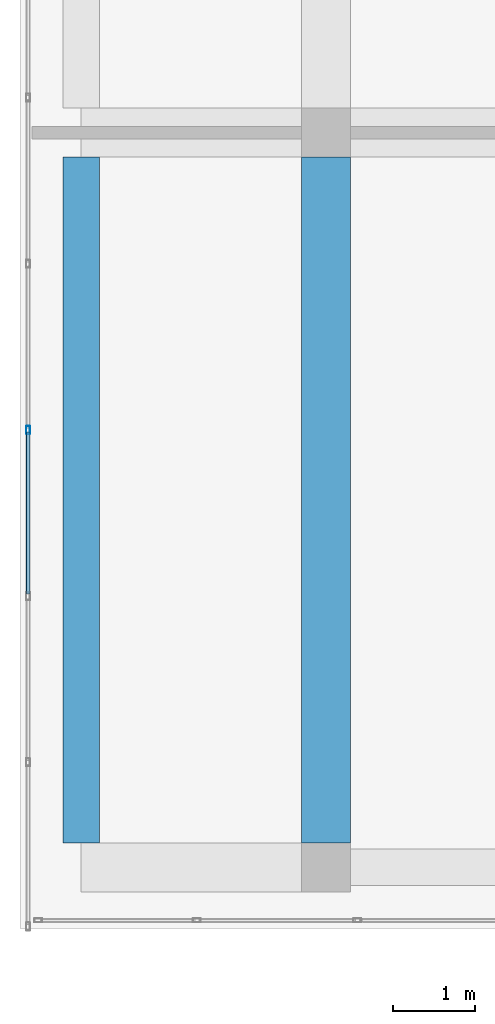
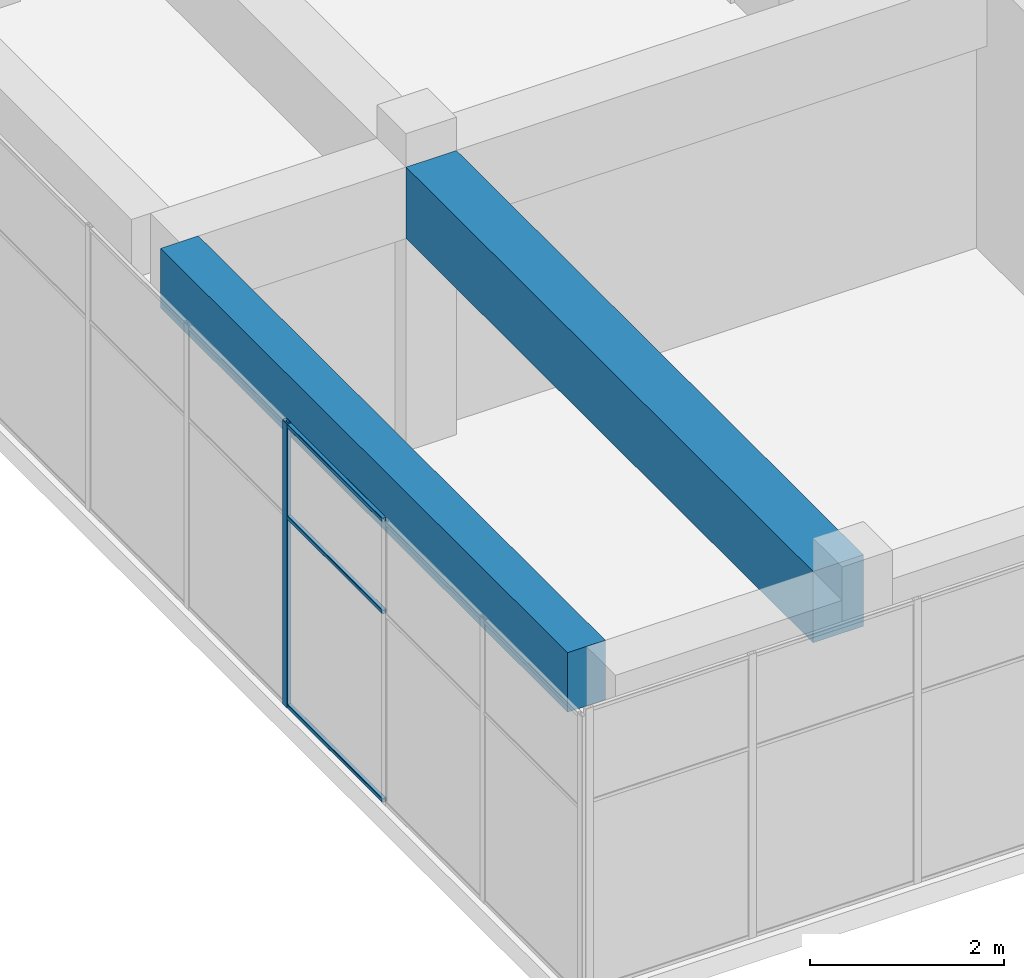
# One storey, part 4 of 35: 4 members, 2 beams, 1 element without a shape of its own.
"""IFC4 building model written with IfcOpenShell, lengths in metres."""

from ifc_helpers import new_model, si_unit, direction, frame, origin, origin_2d, place, context, subcontext, project, spatial, rectangle, hollow_rectangle, extrude, material, layer, layer_set, material_profile, profile_set, type_object, element, aggregate, save


model = new_model("IFC4")

# Units and contexts
model_context = context("Model", 3, precision=1e-05, world=origin(), true_north=direction((0.0, 1.0)))
body_context = subcontext(model_context, "Body", "Model", "MODEL_VIEW")
ifc_project = project(units=[si_unit("LENGTHUNIT", "METRE"), si_unit("AREAUNIT", "SQUARE_METRE"), si_unit("VOLUMEUNIT", "CUBIC_METRE"), si_unit("PLANEANGLEUNIT", "RADIAN"), si_unit("MASSUNIT", "GRAM", prefix="KILO")], contexts=[model_context])

# Site, building, storey
site_placement = place(None, origin())
site = spatial("IfcSite", under=ifc_project, at=site_placement, CompositionType="ELEMENT")
building_placement = place(site_placement, origin())
building = spatial("IfcBuilding", under=site, at=building_placement, Name="Tuart Plaza Theatre", CompositionType="ELEMENT")
storey_placement = place(building_placement, frame((0.0, 0.0, 49.5)))
storey = spatial("IfcBuildingStorey", under=building, at=storey_placement, Name="L12", CompositionType="ELEMENT", Elevation=49.5)

# Beams
ifc_material_1 = material(Name="Concrete N40 (40 MPa)", Category="concrete")
ifc_material_profile_1 = material_profile(ifc_material_1, rectangle(XDim=0.449951171875, YDim=0.75, at=origin_2d()), Name="BEAM 450x750 Concrete N40 (40 MPa)")
ifc_profile_set_1 = profile_set([ifc_material_profile_1], Name="Concrete N40 (40 MPa)")
beam_type_1 = type_object("IfcBeamType", Name="BEAM 450x750 Concrete N40 (40 MPa)", PredefinedType="BEAM", material=ifc_profile_set_1)
beam_1_placement = place(storey_placement, frame((111.0, 65.300048828125, 3.205078125), z_axis=(0.0, 1.0, 0.0), x_axis=(-1.0, 0.0, 0.0)))
element("IfcBeam", 1, at=beam_1_placement, inside=storey, type_object=beam_type_1, Name="RB282", PredefinedType="BEAM", context=body_context, shape_type="SweptSolid", body=[
    extrude(rectangle(XDim=0.449951171875, YDim=0.75, at=origin_2d()), origin(), (0.0, 0.0, 1.0), 8.39990234375),
])
ifc_material_2 = material(Name="Concrete N40 (40 MPa)", Category="concrete")
ifc_material_profile_2 = material_profile(ifc_material_2, rectangle(XDim=0.60009765625, YDim=0.89990234375, at=origin_2d()), Name="BEAM 600x900 Concrete N40 (40 MPa)")
ifc_profile_set_2 = profile_set([ifc_material_profile_2], Name="Concrete N40 (40 MPa)")
beam_type_2 = type_object("IfcBeamType", Name="BEAM 600x900 Concrete N40 (40 MPa)", PredefinedType="BEAM", material=ifc_profile_set_2)
beam_2_placement = place(storey_placement, frame((114.0, 65.300048828125, 3.1298828125), z_axis=(0.0, 1.0, 0.0), x_axis=(-1.0, 0.0, 0.0)))
element("IfcBeam", 2, at=beam_2_placement, inside=storey, type_object=beam_type_2, Name="RB289", PredefinedType="BEAM", context=body_context, shape_type="SweptSolid", body=[
    extrude(rectangle(XDim=0.60009765625, YDim=0.89990234375, at=origin_2d()), origin(), (0.0, 0.0, 1.0), 8.39990234375),
])

# Curtain wall, members
ifc_material_3 = material(Name="Aluminium and glass", Category="aluminium")
ifc_layer = layer(ifc_material_3, 0.10009765625)
ifc_layer_set = layer_set([ifc_layer], Name="CURTAIN WALL 2000 module")
curtain_wall_type = type_object("IfcCurtainWallType", Name="CURTAIN WALL 2000 module", PredefinedType="NOTDEFINED", material=ifc_layer_set)
curtain_wall_placement = place(storey_placement, origin())
curtain_wall = element("IfcCurtainWall", 3, at=curtain_wall_placement, inside=storey, type_object=curtain_wall_type, Name="CW106", PredefinedType="NOTDEFINED")
ifc_material_4 = material(Name="Aluminium 6063-T5", Category="aluminium")
ifc_material_profile_3 = material_profile(ifc_material_4, hollow_rectangle(XDim=0.050048828125, YDim=0.10009765625, WallThickness=0.00390625, InnerFilletRadius=0.00390625, OuterFilletRadius=0.008056640625, at=origin_2d()), Name="RHS 100x50x4")
ifc_profile_set_3 = profile_set([ifc_material_profile_3], Name="Aluminium 6063-T5")
member_type_1 = type_object("IfcMemberType", Name="MULLION RHS 100x50x4", PredefinedType="MULLION", material=ifc_profile_set_3)
member_1_placement = place(storey_placement, frame((110.35009765625, 70.357177734375, 0.0), z_axis=(0.0, 0.0, 1.0), x_axis=(1.0, 0.0, 0.0)))
member_1 = element("IfcMember", 4, at=member_1_placement, type_object=member_type_1, Name="CW106 mullion 12", PredefinedType="MULLION", context=body_context, shape_type="SweptSolid", body=[
    extrude(hollow_rectangle(XDim=0.050048828125, YDim=0.10009765625, WallThickness=0.00390625, InnerFilletRadius=0.00390625, OuterFilletRadius=0.008056640625, at=origin_2d()), origin(), (0.0, 0.0, 1.0), 3.580078125),
])
ifc_material_5 = material(Name="Aluminium 6063-T5", Category="aluminium")
ifc_material_profile_4 = material_profile(ifc_material_5, hollow_rectangle(XDim=0.050048828125, YDim=0.050048828125, WallThickness=0.00390625, InnerFilletRadius=0.00390625, OuterFilletRadius=0.008056640625, at=origin_2d()), Name="RHS 50x50x4")
ifc_profile_set_4 = profile_set([ifc_material_profile_4], Name="Aluminium 6063-T5")
member_type_2 = type_object("IfcMemberType", Name="TRANSOM RHS 50x50x4", PredefinedType="USERDEFINED", material=ifc_profile_set_4)
member_2_placement = place(storey_placement, frame((110.35009765625, 70.33203125, 0.02490234375), z_axis=(0.0, -1.0, 0.0), x_axis=(1.0, 0.0, 0.0)))
member_2 = element("IfcMember", 5, at=member_2_placement, type_object=member_type_2, Name="CW106 transom 12.1", ObjectType="TRANSOM", PredefinedType="USERDEFINED", context=body_context, shape_type="SweptSolid", body=[
    extrude(hollow_rectangle(XDim=0.050048828125, YDim=0.050048828125, WallThickness=0.00390625, InnerFilletRadius=0.00390625, OuterFilletRadius=0.008056640625, at=origin_2d()), origin(), (0.0, 0.0, 1.0), 1.985595703125),
])
member_3_placement = place(storey_placement, frame((110.35009765625, 70.33203125, 2.39990234375), z_axis=(0.0, -1.0, 0.0), x_axis=(1.0, 0.0, 0.0)))
member_3 = element("IfcMember", 6, at=member_3_placement, type_object=member_type_2, Name="CW106 transom 12.2", ObjectType="TRANSOM", PredefinedType="USERDEFINED", context=body_context, shape_type="SweptSolid", body=[
    extrude(hollow_rectangle(XDim=0.050048828125, YDim=0.050048828125, WallThickness=0.00390625, InnerFilletRadius=0.00390625, OuterFilletRadius=0.008056640625, at=origin_2d()), origin(), (0.0, 0.0, 1.0), 1.985595703125),
])
member_4_placement = place(storey_placement, frame((110.35009765625, 70.33203125, 3.554931640625), z_axis=(0.0, -1.0, 0.0), x_axis=(1.0, 0.0, 0.0)))
member_4 = element("IfcMember", 7, at=member_4_placement, type_object=member_type_2, Name="CW106 transom 12.3", ObjectType="TRANSOM", PredefinedType="USERDEFINED", context=body_context, shape_type="SweptSolid", body=[
    extrude(hollow_rectangle(XDim=0.050048828125, YDim=0.050048828125, WallThickness=0.00390625, InnerFilletRadius=0.00390625, OuterFilletRadius=0.008056640625, at=origin_2d()), origin(), (0.0, 0.0, 1.0), 1.985595703125),
])
aggregate(curtain_wall, [member_1, member_2, member_3, member_4])

save(model, "model.ifc")
